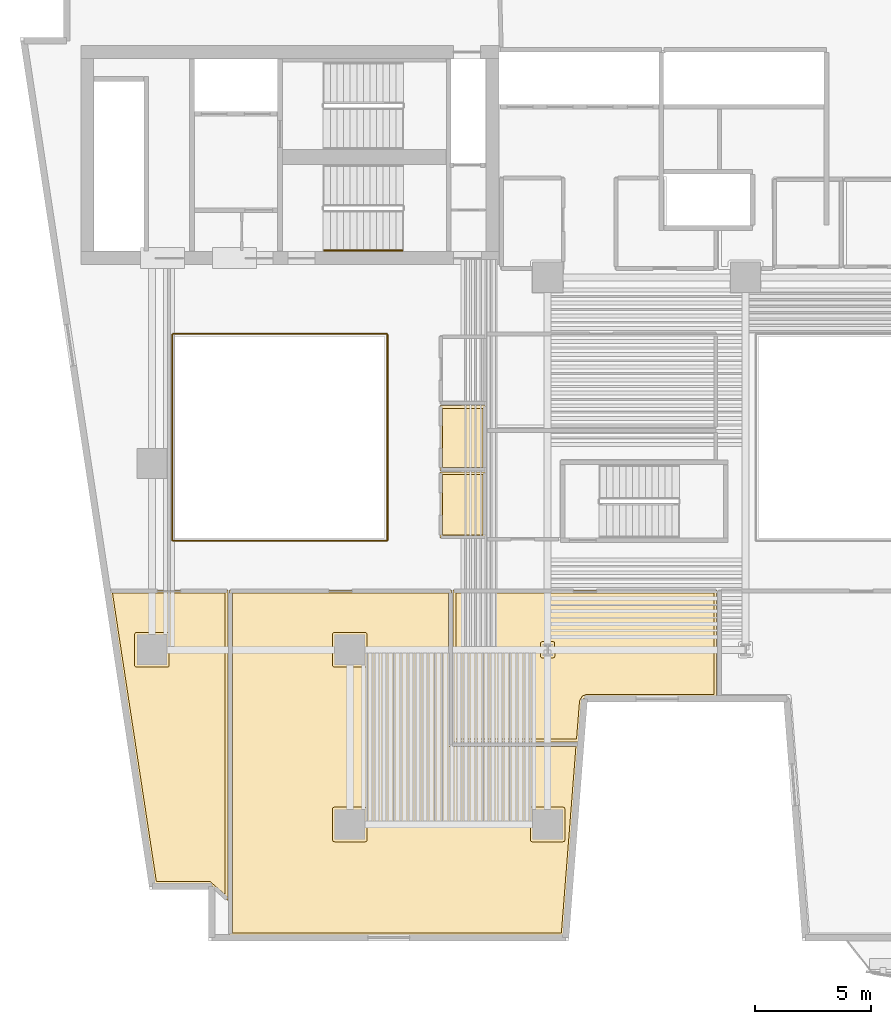
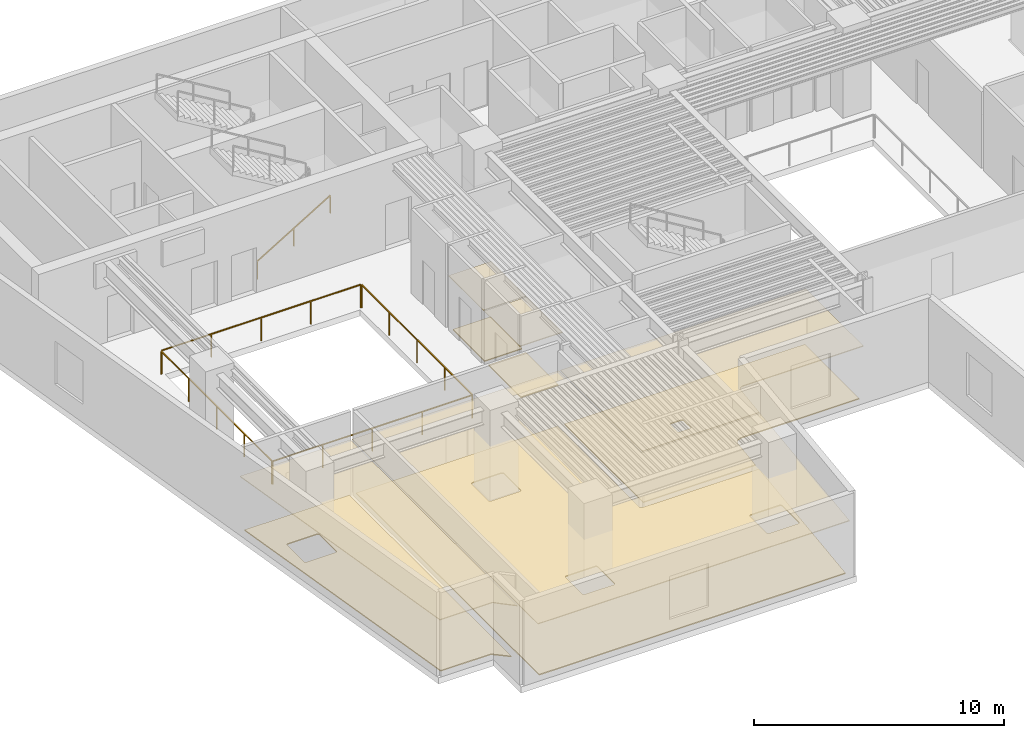
# One storey, part 8 of 12: 10 coverings, 5 railings.
"""IFC4 building model written with IfcOpenShell, lengths in metres."""

import ifcopenshell
import ifcopenshell.guid

model = None  # the IFC model being written
_history = None  # IfcOwnerHistory: only IFC2X3 demands one
_inside = {}  # id of a spatial element -> (the spatial element, [elements in it])
_under = {}  # id of a project, library or spatial element -> (it, [spatial elements below it])
_declared = {}  # id of a project -> (the project, [libraries it declares])
_typed = {}  # id of a type object -> (the type object, [elements of that type])
_made_of = {}  # id of a material, layer set ... -> (it, [elements and type objects made of it])


def new_model(schema):
    """Start an empty IFC model of exactly this schema.

    Asked for "IFC4X3", IfcOpenShell would pick the latest addendum, in which some entities
    have other attributes; the version numbers below select the first issue.
    IFC2X3 requires an IfcOwnerHistory on every rooted entity: one is made here for all.
    """
    global model, _history
    if schema == "IFC4X3":
        model = ifcopenshell.file(schema_version=(4, 3, 0, 0))
    else:
        model = ifcopenshell.file(schema=schema)
    _inside.clear()
    _under.clear()
    _declared.clear()
    _typed.clear()
    _made_of.clear()
    _history = None
    if model.schema == "IFC2X3":
        org = make("IfcOrganization", Name="unknown")
        user = make(
            "IfcPersonAndOrganization",
            ThePerson=make("IfcPerson", FamilyName="unknown"),
            TheOrganization=org,
        )
        app = make(
            "IfcApplication",
            ApplicationDeveloper=org,
            Version="unknown",
            ApplicationFullName="unknown",
            ApplicationIdentifier="unknown",
        )
        _history = make(
            "IfcOwnerHistory",
            OwningUser=user,
            OwningApplication=app,
            ChangeAction="ADDED",
            CreationDate=0,
        )
    return model


def make(cls, **values):
    """One entity of the class cls with the attributes given. An attribute that is None is left unset."""
    return model.create_entity(
        cls, **{name: value for name, value in values.items() if value is not None}
    )


def rooted(cls, **values):
    """An entity with a GlobalId (a new one), such as an element, a storey or a relation."""
    return make(cls, GlobalId=ifcopenshell.guid.new(), OwnerHistory=_history, **values)


def si_unit(unit_type, name, prefix=None):
    """IfcSIUnit, for example si_unit("LENGTHUNIT", "METRE", prefix="MILLI")."""
    return make("IfcSIUnit", UnitType=unit_type, Prefix=prefix, Name=name)


def assignment(units):
    """IfcUnitAssignment: the units of a project."""
    return None if units is None else make("IfcUnitAssignment", Units=units)


def point(xyz):
    """IfcCartesianPoint."""
    return None if xyz is None else make("IfcCartesianPoint", Coordinates=xyz)


def direction(xyz):
    """IfcDirection."""
    return None if xyz is None else make("IfcDirection", DirectionRatios=xyz)


def frame(location, z_axis=None, x_axis=None):
    """IfcAxis2Placement3D, a coordinate frame: its origin and axes. An axis left out is left unset."""
    return make(
        "IfcAxis2Placement3D",
        Location=point(location),
        Axis=direction(z_axis),
        RefDirection=direction(x_axis),
    )


def frame_2d(location, x_axis=None):
    """IfcAxis2Placement2D, a coordinate frame in the plane: its origin and x axis."""
    return make(
        "IfcAxis2Placement2D", Location=point(location), RefDirection=direction(x_axis)
    )


def origin():
    """The frame at (0, 0, 0) with its axes left unset."""
    return frame((0.0, 0.0, 0.0))


def origin_2d():
    """The frame at (0, 0) in the plane with its x axis left unset."""
    return frame_2d((0.0, 0.0))


def place(relative_to, where):
    """IfcLocalPlacement: puts the frame where relative to a parent placement (None: the world)."""
    return make(
        "IfcLocalPlacement", PlacementRelTo=relative_to, RelativePlacement=where
    )


def context(
    kind, dimensions, precision=None, world=None, true_north=None, identifier=None
):
    """IfcGeometricRepresentationContext, for example the 3D "Model" context."""
    return make(
        "IfcGeometricRepresentationContext",
        ContextIdentifier=identifier,
        ContextType=kind,
        CoordinateSpaceDimension=dimensions,
        Precision=precision,
        WorldCoordinateSystem=world,
        TrueNorth=true_north,
    )


def subcontext(parent, identifier, kind, view, scale=None):
    """IfcGeometricRepresentationSubContext, for example "Body" below "Model"."""
    return make(
        "IfcGeometricRepresentationSubContext",
        ContextIdentifier=identifier,
        ContextType=kind,
        ParentContext=parent,
        TargetScale=scale,
        TargetView=view,
    )


def project(units=None, contexts=None):
    """IfcProject with its units and contexts."""
    return rooted(
        "IfcProject",
        Name="project",
        RepresentationContexts=contexts,
        UnitsInContext=assignment(units),
    )


def spatial(cls, under=None, at=None, **own):
    """A site, building, storey or space (cls), placed at a placement, below another one or the project."""
    s = rooted(cls, ObjectPlacement=at, **own)
    if under is not None:
        _under.setdefault(under.id(), (under, []))[1].append(s)
    return s


def polyline(points):
    """IfcPolyline through the points."""
    return make("IfcPolyline", Points=[point(p) for p in points])


def profile(cls, at=None, kind="AREA", **sizes):
    """A parametric profile (cls). Its sizes go by their IFC names, for example OverallWidth=200.0."""
    return make(cls, ProfileType=kind, Position=at, **sizes)


def rectangle(**sizes):
    """IfcRectangleProfileDef."""
    return profile("IfcRectangleProfileDef", **sizes)


def outline(outer, holes=None, kind="AREA"):
    """IfcArbitraryClosedProfileDef: a profile drawn as a closed curve; with holes, ...WithVoids."""
    if holes is None:
        return make("IfcArbitraryClosedProfileDef", ProfileType=kind, OuterCurve=outer)
    return make(
        "IfcArbitraryProfileDefWithVoids",
        ProfileType=kind,
        OuterCurve=outer,
        InnerCurves=holes,
    )


def extrude(swept, where, along, depth):
    """IfcExtrudedAreaSolid: the profile swept, set in the frame where, extruded along a direction by depth."""
    return make(
        "IfcExtrudedAreaSolid",
        SweptArea=swept,
        Position=where,
        ExtrudedDirection=direction(along),
        Depth=depth,
    )


def shape(context_of_items, identifier, shape_type, items):
    """IfcShapeRepresentation: the items that make up one representation, for example the "Body"."""
    return make(
        "IfcShapeRepresentation",
        ContextOfItems=context_of_items,
        RepresentationIdentifier=identifier,
        RepresentationType=shape_type,
        Items=items,
    )


def material(Name=None, Category=None):
    """IfcMaterial."""
    return make("IfcMaterial", Name=Name, Category=Category)


def layer(
    of_material, thickness, ventilated=None, Name=None, Category=None, Priority=None
):
    """IfcMaterialLayer: one layer of a wall or slab, of a material (None: an air gap)."""
    return make(
        "IfcMaterialLayer",
        Material=of_material,
        LayerThickness=thickness,
        IsVentilated=ventilated,
        Name=Name,
        Category=Category,
        Priority=Priority,
    )


def layer_set(layers, Name=None):
    """IfcMaterialLayerSet."""
    return make("IfcMaterialLayerSet", MaterialLayers=layers, LayerSetName=Name)


def made_of(thing, what):
    """Note that an element or type object is made of a material, layer set ...; save() writes the relation."""
    if what is not None:
        _made_of.setdefault(what.id(), (what, []))[1].append(thing)
    return thing


def type_object(cls, material=None, **own):
    """A type object (cls), such as IfcWallType, which elements share."""
    return made_of(rooted(cls, **own), material)


def element(
    cls,
    number,
    at=None,
    inside=None,
    cuts=None,
    type_object=None,
    material=None,
    context=None,
    identifier="Body",
    shape_type=None,
    held_by="IfcProductDefinitionShape",
    body=None,
    shapes=None,
    **own,
):
    """One element of the class cls, such as IfcWall. Its Tag is "e" and its number.

    at: its placement. inside: the storey or other place that contains it. cuts: it is an
    opening in that element (IfcRelVoidsElement). A single representation is given by context,
    identifier, shape_type and body (its items); several are given by shapes. held_by: the class
    of the entity that holds the representations. save() writes the other relations.
    """
    e = rooted(cls, Tag="e%d" % number, ObjectPlacement=at, **own)
    if body is not None:
        shapes = [shape(context, identifier, shape_type, body)]
    if shapes is not None:
        e.Representation = make(held_by, Representations=shapes)
    if inside is not None:
        _inside.setdefault(inside.id(), (inside, []))[1].append(e)
    if cuts is not None:
        rooted(
            "IfcRelVoidsElement", RelatingBuildingElement=cuts, RelatedOpeningElement=e
        )
    if type_object is not None:
        _typed.setdefault(type_object.id(), (type_object, []))[1].append(e)
    return made_of(e, material)


def aggregate(whole, parts):
    """IfcRelAggregates: a whole, such as a stair, and the parts it consists of."""
    return rooted("IfcRelAggregates", RelatingObject=whole, RelatedObjects=parts)


def save(model, path):
    """Write the relations noted so far, then the file.

    IfcRelAggregates (storeys below a building ...), IfcRelContainedInSpatialStructure (elements
    in a storey), IfcRelDefinesByType, IfcRelAssociatesMaterial and IfcRelDeclares: one each for
    every whole, place, type object, material and project.
    """
    for whole, parts in _under.values():
        aggregate(whole, parts)
    for where, things in _inside.values():
        rooted(
            "IfcRelContainedInSpatialStructure",
            RelatedElements=things,
            RelatingStructure=where,
        )
    for kind, things in _typed.values():
        rooted("IfcRelDefinesByType", RelatedObjects=things, RelatingType=kind)
    for what, things in _made_of.values():
        rooted("IfcRelAssociatesMaterial", RelatedObjects=things, RelatingMaterial=what)
    for by, libraries in _declared.values():
        rooted("IfcRelDeclares", RelatingContext=by, RelatedDefinitions=libraries)
    model.write(path)


model = new_model("IFC4")

# Units and contexts
model_context = context("Model", 3, precision=1e-05, world=origin(), true_north=direction((0.0, 1.0)))
body_context = subcontext(model_context, "Body", "Model", "MODEL_VIEW")
ifc_project = project(units=[si_unit("LENGTHUNIT", "METRE"), si_unit("AREAUNIT", "SQUARE_METRE"), si_unit("VOLUMEUNIT", "CUBIC_METRE"), si_unit("PLANEANGLEUNIT", "RADIAN"), si_unit("MASSUNIT", "GRAM", prefix="KILO")], contexts=[model_context])

# Site, building, storey
site_placement = place(None, origin())
site = spatial("IfcSite", under=ifc_project, at=site_placement, CompositionType="ELEMENT")
building_placement = place(site_placement, origin())
building = spatial("IfcBuilding", under=site, at=building_placement, Name="Caeloran Harvest Quay", CompositionType="ELEMENT")
storey_placement = place(building_placement, frame((0.0, 0.0, 71.0)))
storey = spatial("IfcBuildingStorey", under=building, at=storey_placement, Name="L16", CompositionType="ELEMENT", Elevation=71.0)

# Coverings
ifc_material_1 = material(Name="Perforated Mineral-Fibre Acoustic Ceiling Tile", Category="ceiling")
ifc_layer_1 = layer(ifc_material_1, 0.0400390625, Name="Perforated Mineral-Fibre Acoustic Ceiling Tile")
ifc_layer_set_1 = layer_set([ifc_layer_1], Name="Perforated Mineral-Fibre Acoustic Ceiling Tile")
covering_type_1 = type_object("IfcCoveringType", Name="COV-CEILING-ACOUSTIC", PredefinedType="CEILING", material=ifc_layer_set_1)
covering_1_placement = place(storey_placement, frame((0.0, 0.0, 2.60009765625)))
element("IfcCovering", 1, at=covering_1_placement, inside=storey, type_object=covering_type_1, Name="L16 Female Washroom WC Acoustic Ceiling", PredefinedType="CEILING", context=body_context, shape_type="SweptSolid", body=[
    extrude(outline(polyline([(22.840087890625, 22.7099609375), (20.8701171875, 22.7099609375), (20.8701171875, 25.489990234375), (22.840087890625, 25.489990234375), (22.840087890625, 22.7099609375)])), origin(), (0.0, 0.0, 1.0), 0.039794921875),
])
covering_2_placement = place(storey_placement, frame((0.0, 0.0, 2.60009765625)))
element("IfcCovering", 2, at=covering_2_placement, inside=storey, type_object=covering_type_1, Name="L16 Accessible Unisex Washroom WC Acoustic Ceiling", PredefinedType="CEILING", context=body_context, shape_type="SweptSolid", body=[
    extrude(outline(polyline([(22.840087890625, 19.81005859375), (20.8701171875, 19.81005859375), (20.8701171875, 22.639892578125), (22.840087890625, 22.639892578125), (22.840087890625, 19.81005859375)])), origin(), (0.0, 0.0, 1.0), 0.039794921875),
])
covering_3_placement = place(storey_placement, frame((0.0, 0.0, 2.60009765625)))
element("IfcCovering", 3, at=covering_3_placement, inside=storey, type_object=covering_type_1, Name="Dwarf Citrus Mezzanine Growing Hall Acoustic Ceiling", PredefinedType="CEILING", context=body_context, shape_type="SweptSolid", body=[
    extrude(outline(polyline([(21.360107421875, 10.9599609375), (26.842529296875, 10.9599609375), (26.199462890625, 2.719970703125), (11.840087890625, 2.719970703125), (11.840087890625, 17.56005859375), (21.360107421875, 17.56005859375), (21.360107421875, 10.9599609375)])), origin(), (0.0, 0.0, 1.0), 0.039794921875),
])
covering_4_placement = place(storey_placement, frame((0.0, 0.0, 2.60009765625)))
element("IfcCovering", 4, at=covering_4_placement, inside=storey, type_object=covering_type_1, Name="Photobiology Spectrum Laboratory Acoustic Ceiling", PredefinedType="CEILING", context=body_context, shape_type="SweptSolid", body=[
    extrude(outline(polyline([(11.760009765625, 4.2236328125), (11.139404296875, 4.7861328125), (11.092529296875, 4.85546875), (10.99169921875, 4.919921875), (8.59130859375, 4.919921875), (6.668701171875, 17.56005859375), (11.760009765625, 17.56005859375), (11.760009765625, 4.2236328125)])), origin(), (0.0, 0.0, 1.0), 0.039794921875),
])
covering_5_placement = place(storey_placement, frame((0.0, 0.0, 2.60009765625)))
element("IfcCovering", 5, at=covering_5_placement, inside=storey, type_object=covering_type_1, Name="Water Chemistry QA Laboratory Acoustic Ceiling", PredefinedType="CEILING", context=body_context, shape_type="SweptSolid", body=[
    extrude(outline(polyline([(27.159423828125, 12.965576171875), (27.0458984375, 12.90380859375), (26.986572265625, 12.788818359375), (26.848876953125, 11.0400390625), (21.43994140625, 11.0400390625), (21.43994140625, 17.56005859375), (32.760009765625, 17.56005859375), (32.760009765625, 12.969970703125), (27.159423828125, 12.965576171875)])), origin(), (0.0, 0.0, 1.0), 0.039794921875),
])
ifc_material_2 = material(Name="Calcium-Sulphate Raised Access Floor and Terrazzo Finish", Category="flooring")
ifc_layer_2 = layer(ifc_material_2, 0.050048828125, Name="Calcium-Sulphate Raised Access Floor and Terrazzo Finish")
ifc_layer_set_2 = layer_set([ifc_layer_2], Name="Calcium-Sulphate Raised Access Floor and Terrazzo Finish")
covering_type_2 = type_object("IfcCoveringType", Name="COV-FLOOR-RAISED", PredefinedType="FLOORING", material=ifc_layer_set_2)
covering_6_placement = place(storey_placement, origin())
element("IfcCovering", 6, at=covering_6_placement, inside=storey, type_object=covering_type_2, Name="L16 Female Washroom WC Raised Finish Flooring", PredefinedType="FLOORING", context=body_context, shape_type="SweptSolid", body=[
    extrude(outline(polyline([(22.719970703125, 22.830078125), (20.989990234375, 22.830078125), (20.989990234375, 25.3701171875), (22.719970703125, 25.3701171875), (22.719970703125, 22.830078125)])), origin(), (0.0, 0.0, 1.0), 0.050048828125),
])
covering_7_placement = place(storey_placement, origin())
element("IfcCovering", 7, at=covering_7_placement, inside=storey, type_object=covering_type_2, Name="L16 Accessible Unisex Washroom WC Raised Finish Flooring", PredefinedType="FLOORING", context=body_context, shape_type="SweptSolid", body=[
    extrude(outline(polyline([(22.719970703125, 19.929931640625), (20.989990234375, 19.929931640625), (20.989990234375, 22.52001953125), (22.719970703125, 22.52001953125), (22.719970703125, 19.929931640625)])), origin(), (0.0, 0.0, 1.0), 0.050048828125),
])
covering_8_placement = place(storey_placement, origin())
element("IfcCovering", 8, at=covering_8_placement, inside=storey, type_object=covering_type_2, Name="Dwarf Citrus Mezzanine Growing Hall Raised Finish Flooring", PredefinedType="FLOORING", context=body_context, shape_type="SweptSolid", body=[
    extrude(outline(polyline([(11.9599609375, 17.43994140625), (21.239990234375, 17.43994140625), (21.25830078125, 10.869140625), (21.320068359375, 10.840087890625), (26.712890625, 10.840087890625), (26.08837890625, 2.840087890625), (11.9599609375, 2.840087890625), (11.9599609375, 17.43994140625)]), holes=[polyline([(26.2451171875, 8.1650390625), (26.2216796875, 8.2216796875), (26.1650390625, 8.2451171875), (24.8349609375, 8.2451171875), (24.7783203125, 8.2216796875), (24.7548828125, 8.1650390625), (24.7548828125, 6.8349609375), (24.7783203125, 6.7783203125), (24.8349609375, 6.7548828125), (26.1650390625, 6.7548828125), (26.2216796875, 6.7783203125), (26.2451171875, 6.8349609375), (26.2451171875, 8.1650390625)]), polyline([(16.3349609375, 8.2451171875), (16.2783203125, 8.2216796875), (16.2548828125, 8.1650390625), (16.2548828125, 6.8349609375), (16.2783203125, 6.7783203125), (16.3349609375, 6.7548828125), (17.6650390625, 6.7548828125), (17.7216796875, 6.7783203125), (17.7451171875, 6.8349609375), (17.7451171875, 8.1650390625), (17.7216796875, 8.2216796875), (17.6650390625, 8.2451171875), (16.3349609375, 8.2451171875)]), polyline([(17.7451171875, 15.6650390625), (17.7216796875, 15.7216796875), (17.6650390625, 15.7451171875), (16.3349609375, 15.7451171875), (16.2783203125, 15.7216796875), (16.2548828125, 15.6650390625), (16.2548828125, 14.3349609375), (16.2783203125, 14.2783203125), (16.3349609375, 14.2548828125), (17.6650390625, 14.2548828125), (17.7216796875, 14.2783203125), (17.7451171875, 14.3349609375), (17.7451171875, 15.6650390625)])]), origin(), (0.0, 0.0, 1.0), 0.050048828125),
])
covering_9_placement = place(storey_placement, origin())
element("IfcCovering", 9, at=covering_9_placement, inside=storey, type_object=covering_type_2, Name="Photobiology Spectrum Laboratory Raised Finish Flooring", PredefinedType="FLOORING", context=body_context, shape_type="SweptSolid", body=[
    extrude(outline(polyline([(11.639892578125, 4.494384765625), (11.007080078125, 5.0400390625), (8.694580078125, 5.0400390625), (6.80810546875, 17.43994140625), (11.639892578125, 17.43994140625), (11.639892578125, 4.494384765625)]), holes=[polyline([(9.2451171875, 15.6650390625), (9.2216796875, 15.7216796875), (9.1650390625, 15.7451171875), (7.8349609375, 15.7451171875), (7.7783203125, 15.7216796875), (7.7548828125, 15.6650390625), (7.7548828125, 14.3349609375), (7.7783203125, 14.2783203125), (7.8349609375, 14.2548828125), (9.1650390625, 14.2548828125), (9.2216796875, 14.2783203125), (9.2451171875, 14.3349609375), (9.2451171875, 15.6650390625)])]), origin(), (0.0, 0.0, 1.0), 0.050048828125),
])
covering_10_placement = place(storey_placement, origin())
element("IfcCovering", 10, at=covering_10_placement, inside=storey, type_object=covering_type_2, Name="Water Chemistry QA Laboratory Raised Finish Flooring", PredefinedType="FLOORING", context=body_context, shape_type="SweptSolid", body=[
    extrude(outline(polyline([(27.173095703125, 13.088623046875), (26.981689453125, 13.008056640625), (26.869140625, 12.81396484375), (26.73779296875, 11.159912109375), (21.56005859375, 11.159912109375), (21.56005859375, 17.43994140625), (32.639892578125, 17.43994140625), (32.639892578125, 13.090087890625), (27.173095703125, 13.088623046875)]), holes=[polyline([(25.8134765625, 14.72802734375), (25.79541015625, 15.32275390625), (25.7412109375, 15.3515625), (25.2666015625, 15.35205078125), (25.2099609375, 15.32861328125), (25.1865234375, 15.27197265625), (25.1865234375, 14.72802734375), (25.2099609375, 14.67138671875), (25.2666015625, 14.64794921875), (25.7333984375, 14.64794921875), (25.7900390625, 14.67138671875), (25.8134765625, 14.72802734375)])]), origin(), (0.0, 0.0, 1.0), 0.050048828125),
])

# Railings
ifc_material_3 = material(Name="Powder-Coated Steel Post and Laminated Glass Guardrail", Category="steel")
ifc_layer_3 = layer(ifc_material_3, 0.06005859375, Name="Powder-Coated Steel Post and Laminated Glass Guardrail")
ifc_layer_set_3 = layer_set([ifc_layer_3], Name="Powder-Coated Steel Post and Laminated Glass Guardrail")
railing_type_1 = type_object("IfcRailingType", Name="GUARD-ATRIUM-1150", PredefinedType="GUARDRAIL", material=ifc_layer_set_3)
railing_1_placement = place(storey_placement, frame((9.412109375, 19.679931640625, 0.0)))
element("IfcRailing", 11, at=railing_1_placement, inside=storey, type_object=railing_type_1, Name="L16 Skylit Atrium Void Perimeter Guardrail Seg 1", PredefinedType="GUARDRAIL", context=body_context, shape_type="SweptSolid", body=[
    extrude(rectangle(XDim=0.048095703125, YDim=0.048095703125, at=origin_2d()), frame((0.0, 0.0, 1.1259765625), z_axis=(1.0, 0.0, 0.0), x_axis=(0.0, 1.0, 0.0)), (0.0, 0.0, 1.0), 9.17578125),
    extrude(rectangle(XDim=0.0419921875, YDim=0.0419921875, at=origin_2d()), origin(), (0.0, 0.0, 1.0), 1.101806640625),
    extrude(rectangle(XDim=0.0419921875, YDim=0.0419921875, at=origin_2d()), frame((2.2939453125, 0.0, 0.0)), (0.0, 0.0, 1.0), 1.101806640625),
    extrude(rectangle(XDim=0.0419921875, YDim=0.0419921875, at=origin_2d()), frame((4.587890625, 0.0, 0.0)), (0.0, 0.0, 1.0), 1.101806640625),
    extrude(rectangle(XDim=0.0419921875, YDim=0.0419921875, at=origin_2d()), frame((6.8818359375, 0.0, 0.0)), (0.0, 0.0, 1.0), 1.101806640625),
    extrude(rectangle(XDim=0.0419921875, YDim=0.0419921875, at=origin_2d()), frame((9.17578125, 0.0, 0.0)), (0.0, 0.0, 1.0), 1.101806640625),
])
railing_2_placement = place(storey_placement, frame((18.6201171875, 19.7119140625, 0.0)))
element("IfcRailing", 12, at=railing_2_placement, inside=storey, type_object=railing_type_1, Name="L16 Skylit Atrium Void Perimeter Guardrail Seg 2", PredefinedType="GUARDRAIL", context=body_context, shape_type="SweptSolid", body=[
    extrude(rectangle(XDim=0.048095703125, YDim=0.048095703125, at=origin_2d()), frame((0.0, 0.0, 1.1259765625), z_axis=(0.0, 1.0, 0.0), x_axis=(-1.0, 0.0, 0.0)), (0.0, 0.0, 1.0), 8.826171875),
    extrude(rectangle(XDim=0.0419921875, YDim=0.0419921875, at=origin_2d()), origin(), (0.0, 0.0, 1.0), 1.101806640625),
    extrude(rectangle(XDim=0.0419921875, YDim=0.0419921875, at=origin_2d()), frame((0.0, 2.20654296875, 0.0)), (0.0, 0.0, 1.0), 1.101806640625),
    extrude(rectangle(XDim=0.0419921875, YDim=0.0419921875, at=origin_2d()), frame((0.0, 4.4130859375, 0.0)), (0.0, 0.0, 1.0), 1.101806640625),
    extrude(rectangle(XDim=0.0419921875, YDim=0.0419921875, at=origin_2d()), frame((0.0, 6.61962890625, 0.0)), (0.0, 0.0, 1.0), 1.101806640625),
    extrude(rectangle(XDim=0.0419921875, YDim=0.0419921875, at=origin_2d()), frame((0.0, 8.826171875, 0.0)), (0.0, 0.0, 1.0), 1.101806640625),
])
railing_3_placement = place(storey_placement, frame((18.587890625, 28.570068359375, 0.0)))
element("IfcRailing", 13, at=railing_3_placement, inside=storey, type_object=railing_type_1, Name="L16 Skylit Atrium Void Perimeter Guardrail Seg 3", PredefinedType="GUARDRAIL", context=body_context, shape_type="SweptSolid", body=[
    extrude(rectangle(XDim=0.048095703125, YDim=0.048095703125, at=origin_2d()), frame((0.0, 0.0, 1.1259765625), z_axis=(-1.0, 0.0, 0.0), x_axis=(0.0, -1.0, 0.0)), (0.0, 0.0, 1.0), 9.17578125),
    extrude(rectangle(XDim=0.0419921875, YDim=0.0419921875, at=origin_2d()), origin(), (0.0, 0.0, 1.0), 1.101806640625),
    extrude(rectangle(XDim=0.0419921875, YDim=0.0419921875, at=origin_2d()), frame((-2.2939453125, 0.0, 0.0)), (0.0, 0.0, 1.0), 1.101806640625),
    extrude(rectangle(XDim=0.0419921875, YDim=0.0419921875, at=origin_2d()), frame((-4.587890625, 0.0, 0.0)), (0.0, 0.0, 1.0), 1.101806640625),
    extrude(rectangle(XDim=0.0419921875, YDim=0.0419921875, at=origin_2d()), frame((-6.8818359375, 0.0, 0.0)), (0.0, 0.0, 1.0), 1.101806640625),
    extrude(rectangle(XDim=0.0419921875, YDim=0.0419921875, at=origin_2d()), frame((-9.17578125, 0.0, 0.0)), (0.0, 0.0, 1.0), 1.101806640625),
])
railing_4_placement = place(storey_placement, frame((9.3798828125, 28.5380859375, 0.0)))
element("IfcRailing", 14, at=railing_4_placement, inside=storey, type_object=railing_type_1, Name="L16 Skylit Atrium Void Perimeter Guardrail Seg 4", PredefinedType="GUARDRAIL", context=body_context, shape_type="SweptSolid", body=[
    extrude(rectangle(XDim=0.048095703125, YDim=0.048095703125, at=origin_2d()), frame((0.0, 0.0, 1.1259765625), z_axis=(0.0, -1.0, 0.0), x_axis=(1.0, 0.0, 0.0)), (0.0, 0.0, 1.0), 8.826171875),
    extrude(rectangle(XDim=0.0419921875, YDim=0.0419921875, at=origin_2d()), origin(), (0.0, 0.0, 1.0), 1.101806640625),
    extrude(rectangle(XDim=0.0419921875, YDim=0.0419921875, at=origin_2d()), frame((0.0, -2.20654296875, 0.0)), (0.0, 0.0, 1.0), 1.101806640625),
    extrude(rectangle(XDim=0.0419921875, YDim=0.0419921875, at=origin_2d()), frame((0.0, -4.4130859375, 0.0)), (0.0, 0.0, 1.0), 1.101806640625),
    extrude(rectangle(XDim=0.0419921875, YDim=0.0419921875, at=origin_2d()), frame((0.0, -6.61962890625, 0.0)), (0.0, 0.0, 1.0), 1.101806640625),
    extrude(rectangle(XDim=0.0419921875, YDim=0.0419921875, at=origin_2d()), frame((0.0, -8.826171875, 0.0)), (0.0, 0.0, 1.0), 1.101806640625),
])
ifc_material_4 = material(Name="Brushed Stainless Steel Grade 304", Category="steel")
ifc_layer_4 = layer(ifc_material_4, 0.050048828125, Name="Brushed Stainless Steel Grade 304")
ifc_layer_set_4 = layer_set([ifc_layer_4], Name="Brushed Stainless Steel Grade 304")
railing_type_2 = type_object("IfcRailingType", Name="STAIR-HANDRAIL-900", PredefinedType="HANDRAIL", material=ifc_layer_set_4)
railing_5_placement = place(storey_placement, frame((15.89990234375, 32.14990234375, 0.169189453125)))
element("IfcRailing", 15, at=railing_5_placement, inside=storey, type_object=railing_type_2, Name="L16 ST-C2 stair handrail 1", PredefinedType="HANDRAIL", context=body_context, shape_type="SweptSolid", body=[
    extrude(rectangle(XDim=0.048095703125, YDim=0.048095703125, at=origin_2d()), frame((0.0, 0.0, 0.8759765625), z_axis=(0.855836976705, 0.0, 0.517245656632), x_axis=(0.0, 1.0, 0.0)), (0.0, 0.0, 1.0), 3.926025390625),
    extrude(rectangle(XDim=0.0419921875, YDim=0.0419921875, at=origin_2d()), origin(), (0.0, 0.0, 1.0), 0.851806640625),
    extrude(rectangle(XDim=0.0419921875, YDim=0.0419921875, at=origin_2d()), frame((1.68017578125, 0.0, 1.015380859375)), (0.0, 0.0, 1.0), 0.851806640625),
    extrude(rectangle(XDim=0.0419921875, YDim=0.0419921875, at=origin_2d()), frame((3.360107421875, 0.0, 2.03076171875)), (0.0, 0.0, 1.0), 0.851806640625),
])

save(model, "model.ifc")
